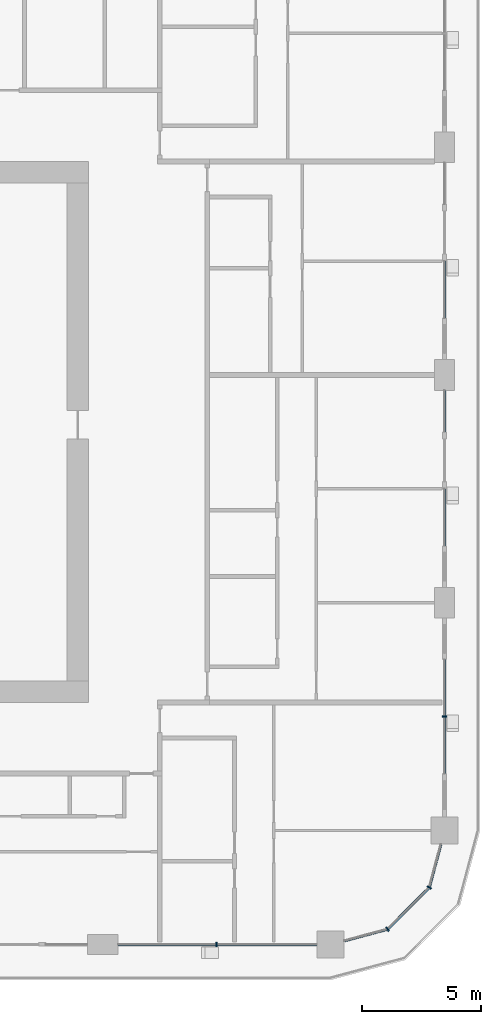
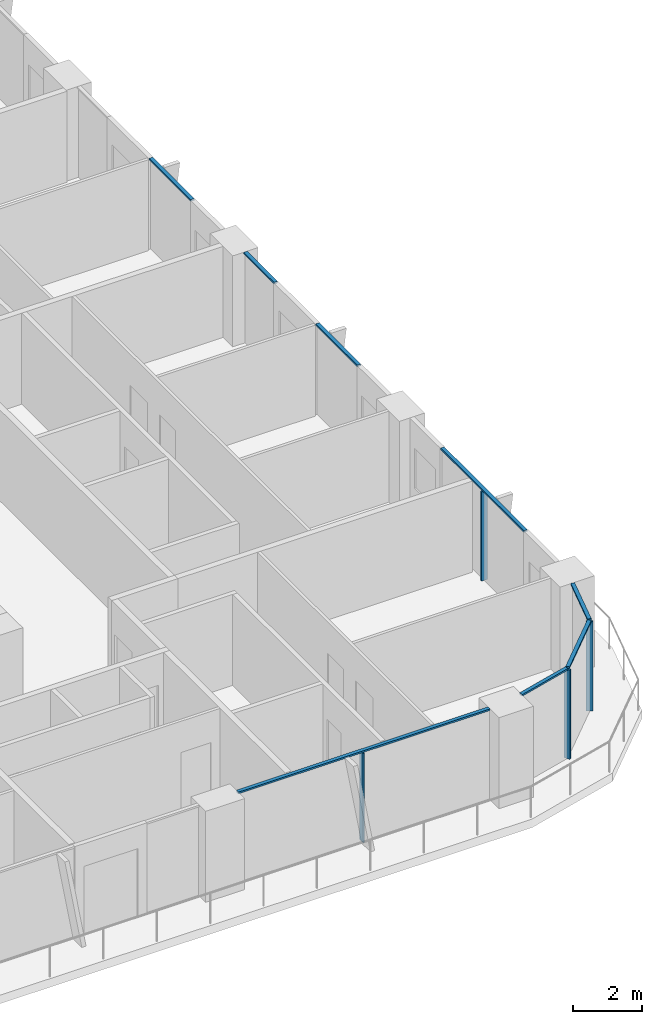
# One storey, part 4 of 21: 12 members, 5 elements without a shape of their own.
"""IFC4 building model written with IfcOpenShell, lengths in metres."""

from ifc_helpers import new_model, si_unit, direction, frame, origin, origin_2d, place, context, subcontext, project, spatial, rectangle, extrude, material, layer, layer_set, material_profile, profile_set, type_object, element, aggregate, save


model = new_model("IFC4")

# Units and contexts
model_context = context("Model", 3, precision=1e-05, world=origin(), true_north=direction((0.0, 1.0)))
body_context = subcontext(model_context, "Body", "Model", "MODEL_VIEW")
ifc_project = project(units=[si_unit("LENGTHUNIT", "METRE"), si_unit("AREAUNIT", "SQUARE_METRE"), si_unit("VOLUMEUNIT", "CUBIC_METRE"), si_unit("PLANEANGLEUNIT", "RADIAN"), si_unit("MASSUNIT", "GRAM", prefix="KILO")], contexts=[model_context])

# Site, building, storey
site_placement = place(None, origin())
site = spatial("IfcSite", under=ifc_project, at=site_placement, CompositionType="ELEMENT")
building_placement = place(site_placement, origin())
building = spatial("IfcBuilding", under=site, at=building_placement, Name="Madar Terraces", CompositionType="ELEMENT")
storey_placement = place(building_placement, frame((0.0, 0.0, 92.699951171875)))
storey = spatial("IfcBuildingStorey", under=building, at=storey_placement, Name="L23", CompositionType="ELEMENT", Elevation=92.699951171875)

# Curtain wall, member
ifc_material_1 = material(Name="Glass, ceramic frit dark grey, with black aluminium frame", Category="aluminium")
ifc_layer = layer(ifc_material_1, 0.199951171875)
ifc_layer_set = layer_set([ifc_layer], Name="Facade curtain wall, fritted glass")
curtain_wall_type = type_object("IfcCurtainWallType", Name="Facade curtain wall, fritted glass", PredefinedType="NOTDEFINED", material=ifc_layer_set)
curtain_wall_1_placement = place(storey_placement, origin())
curtain_wall_1 = element("IfcCurtainWall", 1, at=curtain_wall_1_placement, inside=storey, type_object=curtain_wall_type, Name="Outer skin curtain wall south bay 5", PredefinedType="NOTDEFINED")
ifc_material_2 = material(Name="Aluminium, black anodised", Category="aluminium")
ifc_material_profile_1 = material_profile(ifc_material_2, rectangle(XDim=0.199951171875, YDim=0.06005859375, at=origin_2d()), Name="Facade mullion 60x200")
ifc_profile_set_1 = profile_set([ifc_material_profile_1], Name="Aluminium, black anodised")
member_type_1 = type_object("IfcMemberType", Name="Facade mullion 60x200", PredefinedType="MULLION", material=ifc_profile_set_1)
member_1_placement = place(storey_placement, frame((52.800048828125, 4.800048828125, 0.0), z_axis=(0.0, 0.0, 1.0), x_axis=(0.0, 1.0, 0.0)))
member_1 = element("IfcMember", 2, at=member_1_placement, type_object=member_type_1, Name="Mullion 1", PredefinedType="MULLION", context=body_context, shape_type="SweptSolid", body=[
    extrude(rectangle(XDim=0.199951171875, YDim=0.06005859375, at=origin_2d()), origin(), (0.0, 0.0, 1.0), 3.14013671875),
])

curtain_wall_2_placement = place(storey_placement, origin())
curtain_wall_2 = element("IfcCurtainWall", 3, at=curtain_wall_2_placement, inside=storey, type_object=curtain_wall_type, Name="Outer skin curtain wall east bay 1", PredefinedType="NOTDEFINED")
member_2_placement = place(storey_placement, frame((62.39990234375, 14.39990234375, 0.0), z_axis=(0.0, 0.0, 1.0), x_axis=(-1.0, 0.0, 0.0)))
member_2 = element("IfcMember", 4, at=member_2_placement, type_object=member_type_1, Name="Mullion 1", PredefinedType="MULLION", context=body_context, shape_type="SweptSolid", body=[
    extrude(rectangle(XDim=0.199951171875, YDim=0.06005859375, at=origin_2d()), origin(), (0.0, 0.0, 1.0), 3.14013671875),
])

# Curtain wall, members
curtain_wall_3_placement = place(storey_placement, origin())
curtain_wall_3 = element("IfcCurtainWall", 5, at=curtain_wall_3_placement, inside=storey, type_object=curtain_wall_type, Name="Outer skin curtain wall south-east corner", PredefinedType="NOTDEFINED")
member_3_placement = place(storey_placement, frame((60.0, 5.443115234375, 0.0), z_axis=(0.0, 0.0, 1.0), x_axis=(-0.499999989586, 0.866025409797, 0.0)))
member_3 = element("IfcMember", 6, at=member_3_placement, type_object=member_type_1, Name="Mullion 1", PredefinedType="MULLION", context=body_context, shape_type="SweptSolid", body=[
    extrude(rectangle(XDim=0.199951171875, YDim=0.06005859375, at=origin_2d()), origin(), (0.0, 0.0, 1.0), 3.14013671875),
])
member_4_placement = place(storey_placement, frame((61.7568359375, 7.199951171875, 0.0), z_axis=(0.0, 0.0, 1.0), x_axis=(-0.866025409797, 0.499999989586, 0.0)))
member_4 = element("IfcMember", 7, at=member_4_placement, type_object=member_type_1, Name="Mullion 2", PredefinedType="MULLION", context=body_context, shape_type="SweptSolid", body=[
    extrude(rectangle(XDim=0.199951171875, YDim=0.06005859375, at=origin_2d()), origin(), (0.0, 0.0, 1.0), 3.14013671875),
])

# Member
ifc_material_3 = material(Name="Aluminium, black anodised", Category="aluminium")
ifc_material_profile_2 = material_profile(ifc_material_3, rectangle(XDim=0.1201171875, YDim=0.06005859375, at=origin_2d()), Name="Facade transom 60x120")
ifc_profile_set_2 = profile_set([ifc_material_profile_2], Name="Aluminium, black anodised")
member_type_2 = type_object("IfcMemberType", Name="Facade transom 60x120", PredefinedType="USERDEFINED", material=ifc_profile_set_2)
member_5_placement = place(storey_placement, frame((48.64990234375, 4.800048828125, 3.170166015625), z_axis=(1.0, 0.0, 0.0), x_axis=(0.0, 1.0, 0.0)))
member_5 = element("IfcMember", 8, at=member_5_placement, type_object=member_type_2, Name="Transom 1", ObjectType="TRANSOM", PredefinedType="USERDEFINED", context=body_context, shape_type="SweptSolid", body=[
    extrude(rectangle(XDim=0.1201171875, YDim=0.06005859375, at=origin_2d()), origin(), (0.0, 0.0, 1.0), 8.375),
])

aggregate(curtain_wall_1, [member_1, member_5])

member_6_placement = place(storey_placement, frame((62.39990234375, 12.0, 3.170166015625), z_axis=(0.0, 1.0, 0.0), x_axis=(-1.0, 0.0, 0.0)))
member_6 = element("IfcMember", 9, at=member_6_placement, type_object=member_type_2, Name="Transom 1", ObjectType="TRANSOM", PredefinedType="USERDEFINED", context=body_context, shape_type="SweptSolid", body=[
    extrude(rectangle(XDim=0.1201171875, YDim=0.06005859375, at=origin_2d()), origin(), (0.0, 0.0, 1.0), 4.800048828125),
])

aggregate(curtain_wall_2, [member_2, member_6])

# Curtain wall, members
curtain_wall_4_placement = place(storey_placement, origin())
curtain_wall_4 = element("IfcCurtainWall", 10, at=curtain_wall_4_placement, inside=storey, type_object=curtain_wall_type, Name="Outer skin curtain wall east bay 2", PredefinedType="NOTDEFINED")
member_7_placement = place(storey_placement, frame((62.39990234375, 21.60009765625, 3.170166015625), z_axis=(0.0, 1.0, 0.0), x_axis=(-1.0, 0.0, 0.0)))
member_7 = element("IfcMember", 11, at=member_7_placement, type_object=member_type_2, Name="Transom 1", ObjectType="TRANSOM", PredefinedType="USERDEFINED", context=body_context, shape_type="SweptSolid", body=[
    extrude(rectangle(XDim=0.1201171875, YDim=0.06005859375, at=origin_2d()), origin(), (0.0, 0.0, 1.0), 2.39990234375),
])
member_8_placement = place(storey_placement, frame((62.39990234375, 26.39990234375, 3.170166015625), z_axis=(0.0, 1.0, 0.0), x_axis=(-1.0, 0.0, 0.0)))
member_8 = element("IfcMember", 12, at=member_8_placement, type_object=member_type_2, Name="Transom 2", ObjectType="TRANSOM", PredefinedType="USERDEFINED", context=body_context, shape_type="SweptSolid", body=[
    extrude(rectangle(XDim=0.1201171875, YDim=0.06005859375, at=origin_2d()), origin(), (0.0, 0.0, 1.0), 1.75),
])
aggregate(curtain_wall_4, [member_7, member_8])

# Curtain wall, member
curtain_wall_5_placement = place(storey_placement, origin())
curtain_wall_5 = element("IfcCurtainWall", 13, at=curtain_wall_5_placement, inside=storey, type_object=curtain_wall_type, Name="Outer skin curtain wall east bay 3", PredefinedType="NOTDEFINED")
member_9_placement = place(storey_placement, frame((62.39990234375, 31.199951171875, 3.170166015625), z_axis=(0.0, 1.0, 0.0), x_axis=(-1.0, 0.0, 0.0)))
member_9 = element("IfcMember", 14, at=member_9_placement, type_object=member_type_2, Name="Transom 1", ObjectType="TRANSOM", PredefinedType="USERDEFINED", context=body_context, shape_type="SweptSolid", body=[
    extrude(rectangle(XDim=0.1201171875, YDim=0.06005859375, at=origin_2d()), origin(), (0.0, 0.0, 1.0), 2.400146484375),
])
aggregate(curtain_wall_5, [member_9])

# Member
member_10_placement = place(storey_placement, frame((58.175048828125, 4.9541015625, 3.170166015625), z_axis=(0.965926950947, 0.258814847786, 0.0), x_axis=(-0.258814847786, 0.965926950947, 0.0)))
member_10 = element("IfcMember", 15, at=member_10_placement, type_object=member_type_2, Name="Transom 1", ObjectType="TRANSOM", PredefinedType="USERDEFINED", context=body_context, shape_type="SweptSolid", body=[
    extrude(rectangle(XDim=0.1201171875, YDim=0.06005859375, at=origin_2d()), origin(), (0.0, 0.0, 1.0), 1.859130859375),
])

member_11_placement = place(storey_placement, frame((60.021240234375, 5.46435546875, 3.170166015625), z_axis=(0.707106781187, 0.707106781187, 0.0), x_axis=(-0.707106781187, 0.707106781187, 0.0)))
member_11 = element("IfcMember", 16, at=member_11_placement, type_object=member_type_2, Name="Transom 2", ObjectType="TRANSOM", PredefinedType="USERDEFINED", context=body_context, shape_type="SweptSolid", body=[
    extrude(rectangle(XDim=0.1201171875, YDim=0.06005859375, at=origin_2d()), origin(), (0.0, 0.0, 1.0), 2.424560546875),
])

member_12_placement = place(storey_placement, frame((61.7646484375, 7.22900390625, 3.170166015625), z_axis=(0.258814847786, 0.965926950947, 0.0), x_axis=(-0.965926950947, 0.258814847786, 0.0)))
member_12 = element("IfcMember", 17, at=member_12_placement, type_object=member_type_2, Name="Transom 3", ObjectType="TRANSOM", PredefinedType="USERDEFINED", context=body_context, shape_type="SweptSolid", body=[
    extrude(rectangle(XDim=0.1201171875, YDim=0.06005859375, at=origin_2d()), origin(), (0.0, 0.0, 1.0), 1.859130859375),
])

aggregate(curtain_wall_3, [member_3, member_10, member_4, member_11, member_12])

save(model, "model.ifc")
